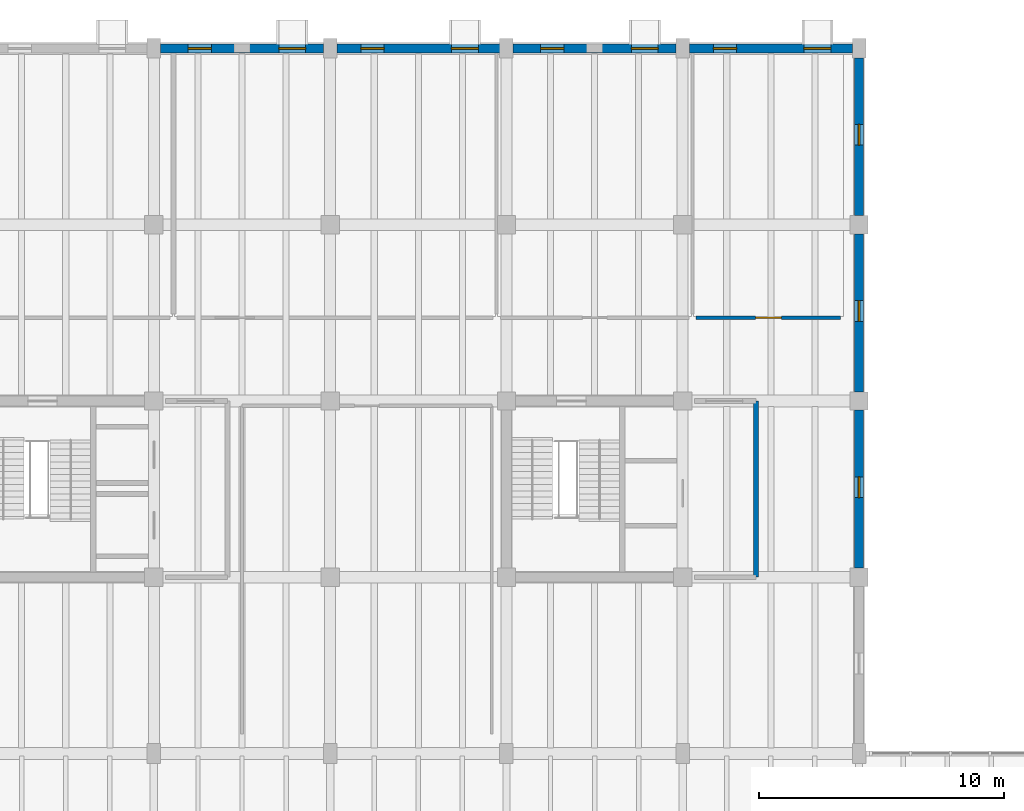
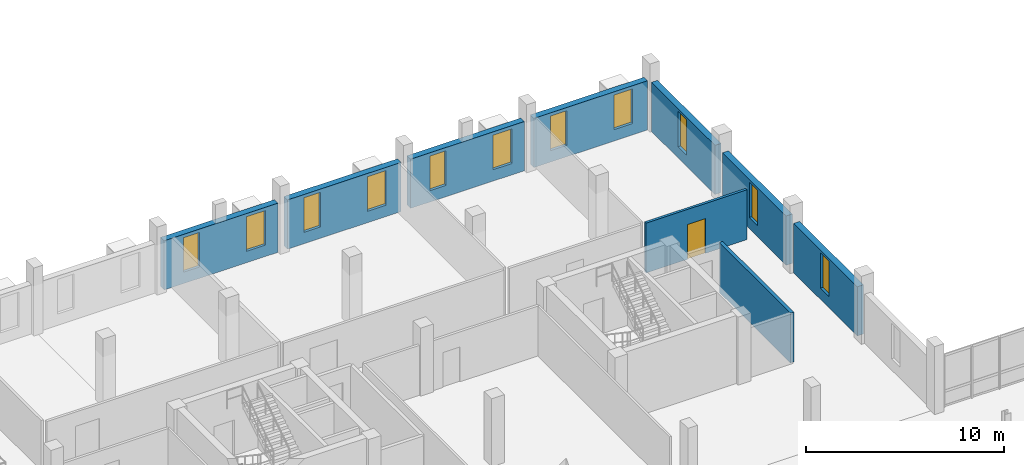
# One storey, part 62 of 72: 11 windows, 9 walls, 1 door, 12 openings.
"""IFC4 building model written with IfcOpenShell, lengths in metres."""

from ifc_helpers import new_model, si_unit, direction, frame, frame_2d, origin, place, context, subcontext, project, spatial, rectangle, extrude, material, layer, layer_set, type_object, element, fill, save


model = new_model("IFC4")

# Units and contexts
model_context = context("Model", 3, precision=1e-05, world=origin(), true_north=direction((0.0, 1.0)))
body_context = subcontext(model_context, "Body", "Model", "MODEL_VIEW")
ifc_project = project(units=[si_unit("LENGTHUNIT", "METRE"), si_unit("AREAUNIT", "SQUARE_METRE"), si_unit("VOLUMEUNIT", "CUBIC_METRE"), si_unit("PLANEANGLEUNIT", "RADIAN"), si_unit("MASSUNIT", "GRAM", prefix="KILO")], contexts=[model_context])

# Site, building, storey
site_placement = place(None, origin())
site = spatial("IfcSite", under=ifc_project, at=site_placement, CompositionType="ELEMENT")
building_placement = place(site_placement, origin())
building = spatial("IfcBuilding", under=site, at=building_placement, Name="Qiaolan Assembly House", CompositionType="ELEMENT")
storey_placement = place(building_placement, frame((0.0, 0.0, 10.199951171875)))
storey = spatial("IfcBuildingStorey", under=building, at=storey_placement, Name="L02", CompositionType="ELEMENT", Elevation=10.199951171875)

# Wall, openings, windows
ifc_material_1 = material(Name="Honed pale limestone", Category="masonry")
ifc_layer_1 = layer(ifc_material_1, 0.360107421875)
ifc_layer_set_1 = layer_set([ifc_layer_1], Name="Honed pale limestone")
wall_type_1 = type_object("IfcWallType", Name="WAL-EXT-LIMESTONE-360", PredefinedType="SOLIDWALL", material=ifc_layer_set_1)
wall_1_placement = place(storey_placement, frame((78.927001953125, 115.199951171875, 0.0), z_axis=(0.0, 0.0, 1.0), x_axis=(-1.0, 0.0, 0.0)))
wall_1 = element("IfcWall", 1, at=wall_1_placement, inside=storey, type_object=wall_type_1, Name="EW-360 NW North street wall L02 bay 6", PredefinedType="SOLIDWALL", context=body_context, shape_type="SweptSolid", body=[
    extrude(rectangle(XDim=6.654052734375, YDim=0.360107421875, at=frame_2d((3.3271484375, 0.0))), origin(), (0.0, 0.0, 1.0), 3.0400390625),
])
opening_1_placement = place(wall_1_placement, frame((0.72705078125, 0.0, 0.699951171875)))
opening_1 = element("IfcOpeningElement", 2, at=opening_1_placement, cuts=wall_1, Name="Opening WN-052", PredefinedType="OPENING", context=body_context, shape_type="SweptSolid", body=[
    extrude(rectangle(XDim=1.10009765625, YDim=2.139892578125, at=frame_2d((0.550048828125, 1.06982421875))), frame((0.0, 0.18994140625, 0.0), z_axis=(0.0, -1.0, 0.0), x_axis=(1.0, 0.0, 0.0)), (0.0, 0.0, 1.0), 0.380126953125),
])
opening_2_placement = place(wall_1_placement, frame((4.576904296875, 0.0, 0.699951171875)))
opening_2 = element("IfcOpeningElement", 3, at=opening_2_placement, cuts=wall_1, Name="Opening WN-053", PredefinedType="OPENING", context=body_context, shape_type="SweptSolid", body=[
    extrude(rectangle(XDim=0.949951171875, YDim=2.139892578125, at=frame_2d((0.47509765625, 1.06982421875))), frame((0.0, 0.18994140625, 0.0), z_axis=(0.0, -1.0, 0.0), x_axis=(1.0, 0.0, 0.0)), (0.0, 0.0, 1.0), 0.380126953125),
])
ifc_material_2 = material(Name="Low-E double insulating glass", Category="glass")
window_type_1 = type_object("IfcWindowType", Name="WIN-BOX-1100x2600", PartitioningType="SINGLE_PANEL", PredefinedType="WINDOW", material=ifc_material_2)
window_1_placement = place(opening_1_placement, origin())
window_1 = element("IfcWindow", 4, at=window_1_placement, inside=storey, type_object=window_type_1, Name="WN-T02 window WN-052", OverallHeight=2.139892578125, OverallWidth=1.10009765625, PartitioningType="SINGLE_PANEL", PredefinedType="WINDOW", context=body_context, shape_type="SweptSolid", body=[
    extrude(rectangle(XDim=1.10009765625, YDim=2.139892578125, at=frame_2d((0.550048828125, 1.06982421875))), frame((0.0, 0.030029296875, 0.0), z_axis=(0.0, -1.0, 0.0), x_axis=(1.0, 0.0, 0.0)), (0.0, 0.0, 1.0), 0.06005859375),
])
fill(opening_1, window_1)
window_type_2 = type_object("IfcWindowType", Name="WIN-PUNCH-950x2400", PartitioningType="SINGLE_PANEL", PredefinedType="WINDOW", material=ifc_material_2)
window_2_placement = place(opening_2_placement, origin())
window_2 = element("IfcWindow", 5, at=window_2_placement, inside=storey, type_object=window_type_2, Name="WN-T06 window WN-053", OverallHeight=2.139892578125, OverallWidth=0.949951171875, PartitioningType="SINGLE_PANEL", PredefinedType="WINDOW", context=body_context, shape_type="SweptSolid", body=[
    extrude(rectangle(XDim=0.949951171875, YDim=2.139892578125, at=frame_2d((0.47509765625, 1.06982421875))), frame((0.0, 0.030029296875, 0.0), z_axis=(0.0, -1.0, 0.0), x_axis=(1.0, 0.0, 0.0)), (0.0, 0.0, 1.0), 0.06005859375),
])
fill(opening_2, window_2)

wall_2_placement = place(storey_placement, frame((86.126953125, 115.199951171875, 0.0), z_axis=(0.0, 0.0, 1.0), x_axis=(-1.0, 0.0, 0.0)))
wall_2 = element("IfcWall", 6, at=wall_2_placement, inside=storey, type_object=wall_type_1, Name="EW-360 NW North street wall L02 bay 7", PredefinedType="SOLIDWALL", context=body_context, shape_type="SweptSolid", body=[
    extrude(rectangle(XDim=6.654052734375, YDim=0.360107421875, at=frame_2d((3.3271484375, 0.0))), origin(), (0.0, 0.0, 1.0), 3.0400390625),
])
opening_3_placement = place(wall_2_placement, frame((0.876953125, 0.0, 0.699951171875)))
opening_3 = element("IfcOpeningElement", 7, at=opening_3_placement, cuts=wall_2, Name="Opening WN-054", PredefinedType="OPENING", context=body_context, shape_type="SweptSolid", body=[
    extrude(rectangle(XDim=1.10009765625, YDim=2.139892578125, at=frame_2d((0.550048828125, 1.06982421875))), frame((0.0, 0.18994140625, 0.0), z_axis=(0.0, -1.0, 0.0), x_axis=(1.0, 0.0, 0.0)), (0.0, 0.0, 1.0), 0.380126953125),
])
opening_4_placement = place(wall_2_placement, frame((4.72705078125, 0.0, 0.699951171875)))
opening_4 = element("IfcOpeningElement", 8, at=opening_4_placement, cuts=wall_2, Name="Opening WN-055", PredefinedType="OPENING", context=body_context, shape_type="SweptSolid", body=[
    extrude(rectangle(XDim=0.949951171875, YDim=2.139892578125, at=frame_2d((0.47509765625, 1.06982421875))), frame((0.0, 0.18994140625, 0.0), z_axis=(0.0, -1.0, 0.0), x_axis=(1.0, 0.0, 0.0)), (0.0, 0.0, 1.0), 0.380126953125),
])
window_3_placement = place(opening_3_placement, origin())
window_3 = element("IfcWindow", 9, at=window_3_placement, inside=storey, type_object=window_type_1, Name="WN-T02 window WN-054", OverallHeight=2.139892578125, OverallWidth=1.10009765625, PartitioningType="SINGLE_PANEL", PredefinedType="WINDOW", context=body_context, shape_type="SweptSolid", body=[
    extrude(rectangle(XDim=1.10009765625, YDim=2.139892578125, at=frame_2d((0.550048828125, 1.06982421875))), frame((0.0, 0.030029296875, 0.0), z_axis=(0.0, -1.0, 0.0), x_axis=(1.0, 0.0, 0.0)), (0.0, 0.0, 1.0), 0.06005859375),
])
fill(opening_3, window_3)
window_4_placement = place(opening_4_placement, origin())
window_4 = element("IfcWindow", 10, at=window_4_placement, inside=storey, type_object=window_type_2, Name="WN-T06 window WN-055", OverallHeight=2.139892578125, OverallWidth=0.949951171875, PartitioningType="SINGLE_PANEL", PredefinedType="WINDOW", context=body_context, shape_type="SweptSolid", body=[
    extrude(rectangle(XDim=0.949951171875, YDim=2.139892578125, at=frame_2d((0.47509765625, 1.06982421875))), frame((0.0, 0.030029296875, 0.0), z_axis=(0.0, -1.0, 0.0), x_axis=(1.0, 0.0, 0.0)), (0.0, 0.0, 1.0), 0.06005859375),
])
fill(opening_4, window_4)

wall_3_placement = place(storey_placement, frame((93.326904296875, 115.199951171875, 0.0), z_axis=(0.0, 0.0, 1.0), x_axis=(-1.0, 0.0, 0.0)))
wall_3 = element("IfcWall", 11, at=wall_3_placement, inside=storey, type_object=wall_type_1, Name="EW-360 NW North street wall L02 bay 8", PredefinedType="SOLIDWALL", context=body_context, shape_type="SweptSolid", body=[
    extrude(rectangle(XDim=6.65380859375, YDim=0.360107421875, at=frame_2d((3.326904296875, 0.0))), origin(), (0.0, 0.0, 1.0), 3.0400390625),
])
opening_5_placement = place(wall_3_placement, frame((0.72705078125, 0.0, 0.699951171875)))
opening_5 = element("IfcOpeningElement", 12, at=opening_5_placement, cuts=wall_3, Name="Opening WN-056", PredefinedType="OPENING", context=body_context, shape_type="SweptSolid", body=[
    extrude(rectangle(XDim=1.10009765625, YDim=2.139892578125, at=frame_2d((0.550048828125, 1.06982421875))), frame((0.0, 0.18994140625, 0.0), z_axis=(0.0, -1.0, 0.0), x_axis=(1.0, 0.0, 0.0)), (0.0, 0.0, 1.0), 0.380126953125),
])
opening_6_placement = place(wall_3_placement, frame((4.576904296875, 0.0, 0.699951171875)))
opening_6 = element("IfcOpeningElement", 13, at=opening_6_placement, cuts=wall_3, Name="Opening WN-057", PredefinedType="OPENING", context=body_context, shape_type="SweptSolid", body=[
    extrude(rectangle(XDim=0.949951171875, YDim=2.139892578125, at=frame_2d((0.47509765625, 1.06982421875))), frame((0.0, 0.18994140625, 0.0), z_axis=(0.0, -1.0, 0.0), x_axis=(1.0, 0.0, 0.0)), (0.0, 0.0, 1.0), 0.380126953125),
])
window_5_placement = place(opening_5_placement, origin())
window_5 = element("IfcWindow", 14, at=window_5_placement, inside=storey, type_object=window_type_1, Name="WN-T02 window WN-056", OverallHeight=2.139892578125, OverallWidth=1.10009765625, PartitioningType="SINGLE_PANEL", PredefinedType="WINDOW", context=body_context, shape_type="SweptSolid", body=[
    extrude(rectangle(XDim=1.10009765625, YDim=2.139892578125, at=frame_2d((0.550048828125, 1.06982421875))), frame((0.0, 0.030029296875, 0.0), z_axis=(0.0, -1.0, 0.0), x_axis=(1.0, 0.0, 0.0)), (0.0, 0.0, 1.0), 0.06005859375),
])
fill(opening_5, window_5)
window_6_placement = place(opening_6_placement, origin())
window_6 = element("IfcWindow", 15, at=window_6_placement, inside=storey, type_object=window_type_2, Name="WN-T06 window WN-057", OverallHeight=2.139892578125, OverallWidth=0.949951171875, PartitioningType="SINGLE_PANEL", PredefinedType="WINDOW", context=body_context, shape_type="SweptSolid", body=[
    extrude(rectangle(XDim=0.949951171875, YDim=2.139892578125, at=frame_2d((0.47509765625, 1.06982421875))), frame((0.0, 0.030029296875, 0.0), z_axis=(0.0, -1.0, 0.0), x_axis=(1.0, 0.0, 0.0)), (0.0, 0.0, 1.0), 0.06005859375),
])
fill(opening_6, window_6)

wall_4_placement = place(storey_placement, frame((100.527099609375, 115.199951171875, 0.0), z_axis=(0.0, 0.0, 1.0), x_axis=(-1.0, 0.0, 0.0)))
wall_4 = element("IfcWall", 16, at=wall_4_placement, inside=storey, type_object=wall_type_1, Name="EW-360 NW North street wall L02 bay 9", PredefinedType="SOLIDWALL", context=body_context, shape_type="SweptSolid", body=[
    extrude(rectangle(XDim=6.654052734375, YDim=0.360107421875, at=frame_2d((3.3271484375, 0.0))), origin(), (0.0, 0.0, 1.0), 3.0400390625),
])
opening_7_placement = place(wall_4_placement, frame((0.876953125, 0.0, 0.699951171875)))
opening_7 = element("IfcOpeningElement", 17, at=opening_7_placement, cuts=wall_4, Name="Opening WN-058", PredefinedType="OPENING", context=body_context, shape_type="SweptSolid", body=[
    extrude(rectangle(XDim=1.10009765625, YDim=2.139892578125, at=frame_2d((0.550048828125, 1.06982421875))), frame((0.0, 0.18994140625, 0.0), z_axis=(0.0, -1.0, 0.0), x_axis=(1.0, 0.0, 0.0)), (0.0, 0.0, 1.0), 0.380126953125),
])
opening_8_placement = place(wall_4_placement, frame((4.72705078125, 0.0, 0.699951171875)))
opening_8 = element("IfcOpeningElement", 18, at=opening_8_placement, cuts=wall_4, Name="Opening WN-059", PredefinedType="OPENING", context=body_context, shape_type="SweptSolid", body=[
    extrude(rectangle(XDim=0.949951171875, YDim=2.139892578125, at=frame_2d((0.47509765625, 1.06982421875))), frame((0.0, 0.18994140625, 0.0), z_axis=(0.0, -1.0, 0.0), x_axis=(1.0, 0.0, 0.0)), (0.0, 0.0, 1.0), 0.380126953125),
])
window_7_placement = place(opening_7_placement, origin())
window_7 = element("IfcWindow", 19, at=window_7_placement, inside=storey, type_object=window_type_1, Name="WN-T02 window WN-058", OverallHeight=2.139892578125, OverallWidth=1.10009765625, PartitioningType="SINGLE_PANEL", PredefinedType="WINDOW", context=body_context, shape_type="SweptSolid", body=[
    extrude(rectangle(XDim=1.10009765625, YDim=2.139892578125, at=frame_2d((0.550048828125, 1.06982421875))), frame((0.0, 0.030029296875, 0.0), z_axis=(0.0, -1.0, 0.0), x_axis=(1.0, 0.0, 0.0)), (0.0, 0.0, 1.0), 0.06005859375),
])
fill(opening_7, window_7)
window_8_placement = place(opening_8_placement, origin())
window_8 = element("IfcWindow", 20, at=window_8_placement, inside=storey, type_object=window_type_2, Name="WN-T06 window WN-059", OverallHeight=2.139892578125, OverallWidth=0.949951171875, PartitioningType="SINGLE_PANEL", PredefinedType="WINDOW", context=body_context, shape_type="SweptSolid", body=[
    extrude(rectangle(XDim=0.949951171875, YDim=2.139892578125, at=frame_2d((0.47509765625, 1.06982421875))), frame((0.0, 0.030029296875, 0.0), z_axis=(0.0, -1.0, 0.0), x_axis=(1.0, 0.0, 0.0)), (0.0, 0.0, 1.0), 0.06005859375),
])
fill(opening_8, window_8)

# Wall, opening, window
wall_5_placement = place(storey_placement, frame((100.800048828125, 100.427001953125, 0.0), z_axis=(0.0, 0.0, 1.0), x_axis=(0.0, -1.0, 0.0)))
wall_5 = element("IfcWall", 21, at=wall_5_placement, inside=storey, type_object=wall_type_1, Name="NW East wall L02-2", PredefinedType="SOLIDWALL", context=body_context, shape_type="SweptSolid", body=[
    extrude(rectangle(XDim=6.4541015625, YDim=0.360107421875, at=frame_2d((3.22705078125, 0.0))), origin(), (0.0, 0.0, 1.0), 3.0400390625),
])
opening_9_placement = place(wall_5_placement, frame((2.72705078125, 0.0, 0.699951171875)))
opening_9 = element("IfcOpeningElement", 22, at=opening_9_placement, cuts=wall_5, Name="Opening WN-063", PredefinedType="OPENING", context=body_context, shape_type="SweptSolid", body=[
    extrude(rectangle(XDim=0.85009765625, YDim=2.18994140625, at=frame_2d((0.425048828125, 1.094970703125))), frame((0.0, 0.18994140625, 0.0), z_axis=(0.0, -1.0, 0.0), x_axis=(1.0, 0.0, 0.0)), (0.0, 0.0, 1.0), 0.380126953125),
])
window_type_3 = type_object("IfcWindowType", Name="WIN-END-850x2200", PartitioningType="SINGLE_PANEL", PredefinedType="WINDOW", material=ifc_material_2)
window_9_placement = place(opening_9_placement, origin())
window_9 = element("IfcWindow", 23, at=window_9_placement, inside=storey, type_object=window_type_3, Name="NW East window WN-063", OverallHeight=2.18994140625, OverallWidth=0.85009765625, PartitioningType="SINGLE_PANEL", PredefinedType="WINDOW", context=body_context, shape_type="SweptSolid", body=[
    extrude(rectangle(XDim=0.85009765625, YDim=2.18994140625, at=frame_2d((0.425048828125, 1.094970703125))), frame((0.0, 0.030029296875, 0.0), z_axis=(0.0, -1.0, 0.0), x_axis=(1.0, 0.0, 0.0)), (0.0, 0.0, 1.0), 0.06005859375),
])
fill(opening_9, window_9)

wall_6_placement = place(storey_placement, frame((100.800048828125, 107.626953125, 0.0), z_axis=(0.0, 0.0, 1.0), x_axis=(0.0, -1.0, 0.0)))
wall_6 = element("IfcWall", 24, at=wall_6_placement, inside=storey, type_object=wall_type_1, Name="NW East wall L02-3", PredefinedType="SOLIDWALL", context=body_context, shape_type="SweptSolid", body=[
    extrude(rectangle(XDim=6.453857421875, YDim=0.360107421875, at=frame_2d((3.22705078125, 0.0))), origin(), (0.0, 0.0, 1.0), 3.0400390625),
])
opening_10_placement = place(wall_6_placement, frame((2.72705078125, 0.0, 0.699951171875)))
opening_10 = element("IfcOpeningElement", 25, at=opening_10_placement, cuts=wall_6, Name="Opening WN-065", PredefinedType="OPENING", context=body_context, shape_type="SweptSolid", body=[
    extrude(rectangle(XDim=0.85009765625, YDim=2.18994140625, at=frame_2d((0.425048828125, 1.094970703125))), frame((0.0, 0.18994140625, 0.0), z_axis=(0.0, -1.0, 0.0), x_axis=(1.0, 0.0, 0.0)), (0.0, 0.0, 1.0), 0.380126953125),
])
window_10_placement = place(opening_10_placement, origin())
window_10 = element("IfcWindow", 26, at=window_10_placement, inside=storey, type_object=window_type_3, Name="NW East window WN-065", OverallHeight=2.18994140625, OverallWidth=0.85009765625, PartitioningType="SINGLE_PANEL", PredefinedType="WINDOW", context=body_context, shape_type="SweptSolid", body=[
    extrude(rectangle(XDim=0.85009765625, YDim=2.18994140625, at=frame_2d((0.425048828125, 1.094970703125))), frame((0.0, 0.030029296875, 0.0), z_axis=(0.0, -1.0, 0.0), x_axis=(1.0, 0.0, 0.0)), (0.0, 0.0, 1.0), 0.06005859375),
])
fill(opening_10, window_10)

wall_7_placement = place(storey_placement, frame((100.800048828125, 114.802001953125, 0.0), z_axis=(0.0, 0.0, 1.0), x_axis=(0.0, -1.0, 0.0)))
wall_7 = element("IfcWall", 27, at=wall_7_placement, inside=storey, type_object=wall_type_1, Name="NW East wall L02-4", PredefinedType="SOLIDWALL", context=body_context, shape_type="SweptSolid", body=[
    extrude(rectangle(XDim=6.428955078125, YDim=0.360107421875, at=frame_2d((3.21435546875, 0.0))), origin(), (0.0, 0.0, 1.0), 3.0400390625),
])
opening_11_placement = place(wall_7_placement, frame((2.701904296875, 0.0, 0.699951171875)))
opening_11 = element("IfcOpeningElement", 28, at=opening_11_placement, cuts=wall_7, Name="Opening WN-067", PredefinedType="OPENING", context=body_context, shape_type="SweptSolid", body=[
    extrude(rectangle(XDim=0.85009765625, YDim=2.18994140625, at=frame_2d((0.425048828125, 1.094970703125))), frame((0.0, 0.18994140625, 0.0), z_axis=(0.0, -1.0, 0.0), x_axis=(1.0, 0.0, 0.0)), (0.0, 0.0, 1.0), 0.380126953125),
])
window_11_placement = place(opening_11_placement, origin())
window_11 = element("IfcWindow", 29, at=window_11_placement, inside=storey, type_object=window_type_3, Name="NW East window WN-067", OverallHeight=2.18994140625, OverallWidth=0.85009765625, PartitioningType="SINGLE_PANEL", PredefinedType="WINDOW", context=body_context, shape_type="SweptSolid", body=[
    extrude(rectangle(XDim=0.85009765625, YDim=2.18994140625, at=frame_2d((0.425048828125, 1.094970703125))), frame((0.0, 0.030029296875, 0.0), z_axis=(0.0, -1.0, 0.0), x_axis=(1.0, 0.0, 0.0)), (0.0, 0.0, 1.0), 0.06005859375),
])
fill(opening_11, window_11)

# Wall
ifc_material_3 = material(Name="Concrete C35/45", Category="concrete")
ifc_layer_2 = layer(ifc_material_3, 0.199951171875)
ifc_layer_set_2 = layer_set([ifc_layer_2], Name="Concrete C35/45")
wall_type_2 = type_object("IfcWallType", Name="WAL-LOBBY-200", PredefinedType="PARTITIONING", material=ifc_layer_set_2)
wall_8_placement = place(storey_placement, frame((96.60009765625, 93.60009765625, 0.0), z_axis=(0.0, 0.0, 1.0), x_axis=(0.0, 1.0, 0.0)))
element("IfcWall", 30, at=wall_8_placement, inside=storey, type_object=wall_type_2, Name="Firefighting lift lobby east wall CORE-G L02", PredefinedType="PARTITIONING", context=body_context, shape_type="SweptSolid", body=[
    extrude(rectangle(XDim=7.199951171875, YDim=0.199951171875, at=frame_2d((3.60009765625, 0.0))), origin(), (0.0, 0.0, 1.0), 3.080078125),
])

# Wall, opening, door
ifc_material_4 = material(Name="Gypsum plasterboard partition")
ifc_layer_3 = layer(ifc_material_4, 0.14990234375)
ifc_layer_set_3 = layer_set([ifc_layer_3], Name="Gypsum plasterboard partition")
wall_type_3 = type_object("IfcWallType", Name="WAL-PART-150", PredefinedType="PARTITIONING", material=ifc_layer_set_3)
wall_9_placement = place(storey_placement, frame((94.14990234375, 104.199951171875, 0.0), z_axis=(0.0, 0.0, 1.0), x_axis=(1.0, 0.0, 0.0)))
wall_9 = element("IfcWall", 31, at=wall_9_placement, inside=storey, type_object=wall_type_3, Name="Members Briefing Pantry & Tea Room corridor wall", PredefinedType="PARTITIONING", context=body_context, shape_type="SweptSolid", body=[
    extrude(rectangle(XDim=5.900146484375, YDim=0.14990234375, at=frame_2d((2.9501953125, 0.0))), origin(), (0.0, 0.0, 1.0), 3.080078125),
])
opening_12_placement = place(wall_9_placement, frame((2.425048828125, 0.0, 0.0)))
opening_12 = element("IfcOpeningElement", 32, at=opening_12_placement, cuts=wall_9, Name="Opening ND-195", PredefinedType="OPENING", context=body_context, shape_type="SweptSolid", body=[
    extrude(rectangle(XDim=1.050048828125, YDim=2.14990234375, at=frame_2d((0.52490234375, 1.074951171875))), frame((0.0, 0.0849609375, 0.0), z_axis=(0.0, -1.0, 0.0), x_axis=(1.0, 0.0, 0.0)), (0.0, 0.0, 1.0), 0.169921875),
])
ifc_material_5 = material(Name="Acoustic oak panelling")
door_type = type_object("IfcDoorType", Name="DOR-OFF-LRG-1050", OperationType="NOTDEFINED", PredefinedType="DOOR", material=ifc_material_5)
door_placement = place(opening_12_placement, origin())
door = element("IfcDoor", 33, at=door_placement, inside=storey, type_object=door_type, Name="Members Briefing Pantry & Tea Room door ND-195", OperationType="SINGLE_SWING_LEFT", OverallHeight=2.14990234375, OverallWidth=1.050048828125, PredefinedType="DOOR", context=body_context, shape_type="SweptSolid", body=[
    extrude(rectangle(XDim=1.050048828125, YDim=2.14990234375, at=frame_2d((0.52490234375, 1.074951171875))), frame((0.0, 0.02490234375, 0.0), z_axis=(0.0, -1.0, 0.0), x_axis=(1.0, 0.0, 0.0)), (0.0, 0.0, 1.0), 0.050048828125),
])
fill(opening_12, door)

save(model, "model.ifc")
